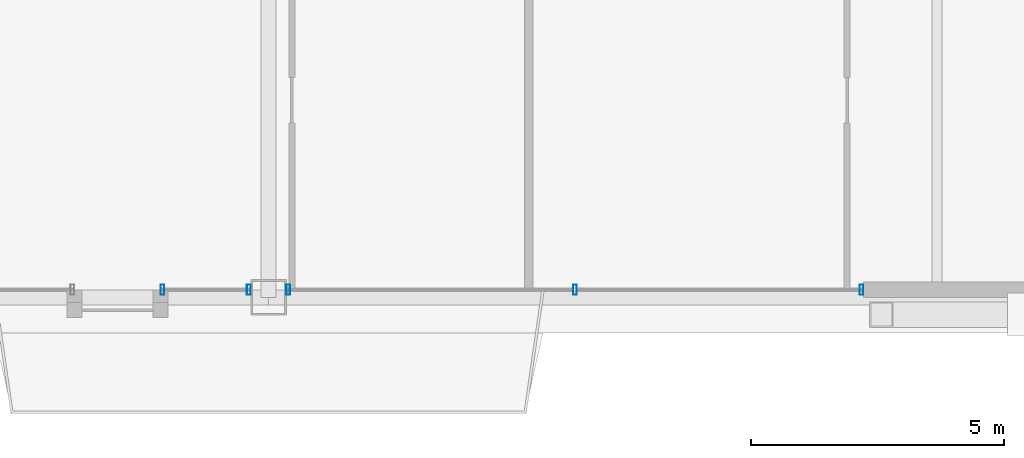
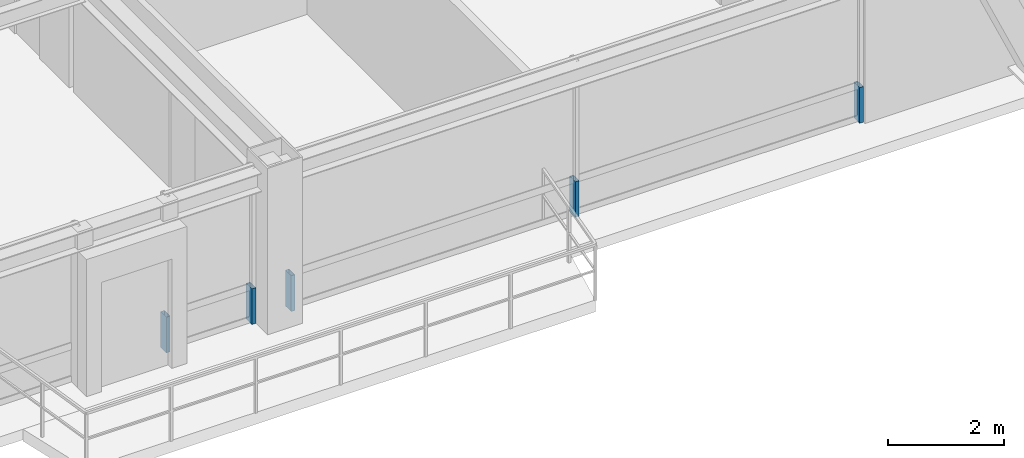
# One storey, part 22 of 35: 5 members, 2 elements without a shape of their own.
"""IFC4 building model written with IfcOpenShell, lengths in metres."""

from ifc_helpers import new_model, si_unit, direction, frame, origin, origin_2d, place, context, subcontext, project, spatial, hollow_rectangle, extrude, source, transform, mapped, material, layer, layer_set, material_profile, profile_set, type_object, element, aggregate, save


model = new_model("IFC4")

# Units and contexts
model_context = context("Model", 3, precision=1e-05, world=origin(), true_north=direction((0.0, 1.0)))
body_context = subcontext(model_context, "Body", "Model", "MODEL_VIEW")
ifc_project = project(units=[si_unit("LENGTHUNIT", "METRE"), si_unit("AREAUNIT", "SQUARE_METRE"), si_unit("VOLUMEUNIT", "CUBIC_METRE"), si_unit("PLANEANGLEUNIT", "RADIAN"), si_unit("MASSUNIT", "GRAM", prefix="KILO"), si_unit("THERMODYNAMICTEMPERATUREUNIT", "KELVIN"), si_unit("POWERUNIT", "WATT")], contexts=[model_context])

# Site, building, storey
site_placement = place(None, origin())
site = spatial("IfcSite", under=ifc_project, at=site_placement, CompositionType="ELEMENT")
building_placement = place(site_placement, origin())
building = spatial("IfcBuilding", under=site, at=building_placement, Name="Yuzanri Waterfront Tower", CompositionType="ELEMENT")
storey_placement = place(building_placement, frame((0.0, 0.0, 314.699951171875)))
storey = spatial("IfcBuildingStorey", under=building, at=storey_placement, Name="L84", CompositionType="ELEMENT", Elevation=314.699951171875)

# Curtain wall, members
ifc_material_1 = material(Name="Anodized Architectural Bronze", Category="metal")
ifc_layer = layer(ifc_material_1, 0.159912109375)
ifc_layer_set = layer_set([ifc_layer], Name="Anodized Architectural Bronze")
curtain_wall_type = type_object("IfcCurtainWallType", Name="Anodized Bronze High-Rise Penthouse High-Wind Unitized Curtain Wall 6900", PredefinedType="NOTDEFINED", material=ifc_layer_set)
curtain_wall_1_placement = place(storey_placement, origin())
curtain_wall_1 = element("IfcCurtainWall", 1, at=curtain_wall_1_placement, inside=storey, type_object=curtain_wall_type, Name="L84 Curtain Wall CW-L84-SL2", PredefinedType="NOTDEFINED")
ifc_material_2 = material(Name="Anodized Architectural Bronze", Category="metal")
ifc_material_profile = material_profile(ifc_material_2, hollow_rectangle(XDim=0.074951171875, YDim=0.199951171875, WallThickness=0.00390625, at=origin_2d()), Name="CWM 75x200")
ifc_profile_set = profile_set([ifc_material_profile], Name="Anodized Architectural Bronze")
member_type = type_object("IfcMemberType", Name="Anodized Bronze Primary Curtain-Wall Mullion 75x200", PredefinedType="MULLION", material=ifc_profile_set)
shared_shape = source(origin(), body_context, "Body", "SweptSolid", [
    extrude(hollow_rectangle(XDim=0.074951171875, YDim=0.199951171875, WallThickness=0.00390625, at=origin_2d()), origin(), (0.0, 0.0, 1.0), 0.751953125),
])
member_1_placement = place(storey_placement, frame((34.905029296875, 6.85009765625, 0.0), z_axis=(0.0, 0.0, 1.0), x_axis=(1.0, 0.0, 0.0)))
member_1 = element("IfcMember", 2, at=member_1_placement, type_object=member_type, Name="CW-L84-SL2 Lower Mullion 00", PredefinedType="MULLION", context=body_context, shape_type="MappedRepresentation", body=[
    mapped(shared_shape, transform((0.0, 0.0, 0.0), scale=1.0)),
])
member_2_placement = place(storey_placement, frame((36.610107421875, 6.85009765625, 0.0), z_axis=(0.0, 0.0, 1.0), x_axis=(1.0, 0.0, 0.0)))
member_2 = element("IfcMember", 3, at=member_2_placement, type_object=member_type, Name="CW-L84-SL2 Lower Mullion 01", PredefinedType="MULLION", context=body_context, shape_type="MappedRepresentation", body=[
    mapped(shared_shape, transform((0.0, 0.0, 0.0), scale=1.0)),
])
aggregate(curtain_wall_1, [member_1, member_2])

curtain_wall_2_placement = place(storey_placement, origin())
curtain_wall_2 = element("IfcCurtainWall", 4, at=curtain_wall_2_placement, inside=storey, type_object=curtain_wall_type, Name="L84 Curtain Wall CW-L84-SR", PredefinedType="NOTDEFINED")
member_3_placement = place(storey_placement, frame((37.389892578125, 6.85009765625, 0.0), z_axis=(0.0, 0.0, 1.0), x_axis=(1.0, 0.0, 0.0)))
member_3 = element("IfcMember", 5, at=member_3_placement, type_object=member_type, Name="CW-L84-SR Lower Mullion 00", PredefinedType="MULLION", context=body_context, shape_type="MappedRepresentation", body=[
    mapped(shared_shape, transform((0.0, 0.0, 0.0), scale=1.0)),
])
member_4_placement = place(storey_placement, frame((43.050048828125, 6.85009765625, 0.0), z_axis=(0.0, 0.0, 1.0), x_axis=(1.0, 0.0, 0.0)))
member_4 = element("IfcMember", 6, at=member_4_placement, type_object=member_type, Name="CW-L84-SR Lower Mullion 01", PredefinedType="MULLION", context=body_context, shape_type="MappedRepresentation", body=[
    mapped(shared_shape, transform((0.0, 0.0, 0.0), scale=1.0)),
])
member_5_placement = place(storey_placement, frame((48.7099609375, 6.85009765625, 0.0), z_axis=(0.0, 0.0, 1.0), x_axis=(1.0, 0.0, 0.0)))
member_5 = element("IfcMember", 7, at=member_5_placement, type_object=member_type, Name="CW-L84-SR Lower Mullion 02", PredefinedType="MULLION", context=body_context, shape_type="MappedRepresentation", body=[
    mapped(shared_shape, transform((0.0, 0.0, 0.0), scale=1.0)),
])
aggregate(curtain_wall_2, [member_3, member_4, member_5])

save(model, "model.ifc")
